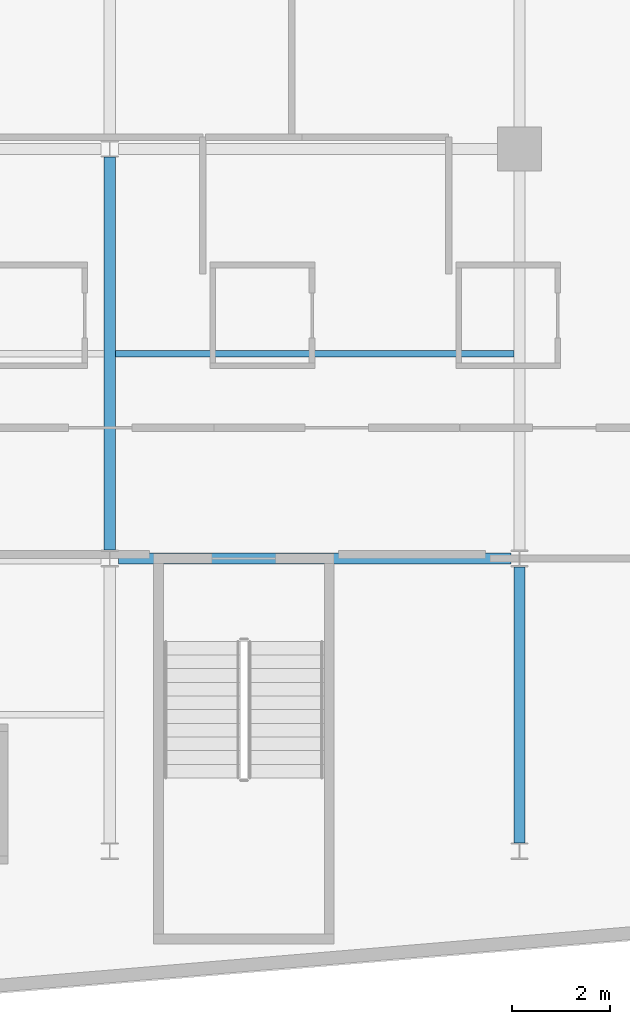
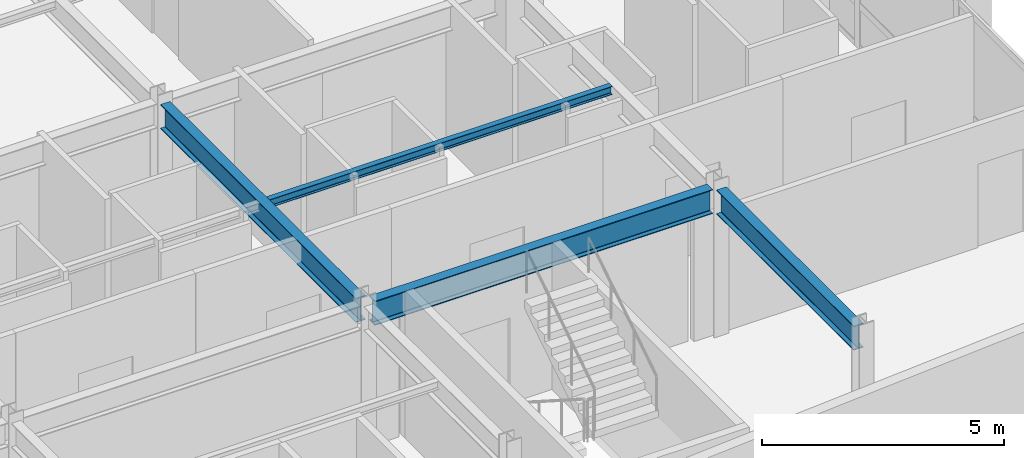
# One storey, part 4 of 21: 4 beams.
"""IFC4 building model written with IfcOpenShell, lengths in metres."""

from ifc_helpers import new_model, si_unit, direction, frame, origin, origin_2d, place, context, subcontext, project, spatial, i_section, extrude, material, material_profile, profile_set, type_object, element, save


model = new_model("IFC4")

# Units and contexts
model_context = context("Model", 3, precision=1e-05, world=origin(), true_north=direction((0.0, 1.0)))
body_context = subcontext(model_context, "Body", "Model", "MODEL_VIEW")
ifc_project = project(units=[si_unit("LENGTHUNIT", "METRE"), si_unit("AREAUNIT", "SQUARE_METRE"), si_unit("VOLUMEUNIT", "CUBIC_METRE"), si_unit("PLANEANGLEUNIT", "RADIAN"), si_unit("MASSUNIT", "GRAM", prefix="KILO")], contexts=[model_context])

# Site, building, storey
site_placement = place(None, origin())
site = spatial("IfcSite", under=ifc_project, at=site_placement, CompositionType="ELEMENT")
building_placement = place(site_placement, origin())
building = spatial("IfcBuilding", under=site, at=building_placement, Name="Varnakote Quay Hospital", CompositionType="ELEMENT")
storey_placement = place(building_placement, frame((0.0, 0.0, 34.35009765625)))
storey = spatial("IfcBuildingStorey", under=building, at=storey_placement, Name="L08", CompositionType="ELEMENT", Elevation=34.35009765625)

# Beams
ifc_material_1 = material(Name="Structural steel AS/NZS 3679.1 Grade 350 L0 (fy 340 MPa)", Category="steel")
ifc_material_profile_1 = material_profile(ifc_material_1, i_section(OverallWidth=0.22900390625, OverallDepth=0.612060546875, WebThickness=0.011962890625, FlangeThickness=0.01953125, FilletRadius=0.013916015625, at=origin_2d()), Name="610UB125")
ifc_profile_set_1 = profile_set([ifc_material_profile_1], Name="Structural steel AS/NZS 3679.1 Grade 350 L0 (fy 340 MPa)")
beam_type_1 = type_object("IfcBeamType", Name="BM-STL-610UB125", PredefinedType="BEAM", material=ifc_profile_set_1)
beam_1_placement = place(storey_placement, frame((42.175048828125, 12.0, 3.40380859375), z_axis=(1.0, 0.0, 0.0), x_axis=(0.0, 1.0, 0.0)))
element("IfcBeam", 1, at=beam_1_placement, inside=storey, type_object=beam_type_1, Name="L08 Primary Floor Beam", PredefinedType="BEAM", context=body_context, shape_type="SweptSolid", body=[
    extrude(i_section(OverallWidth=0.22900390625, OverallDepth=0.612060546875, WebThickness=0.011962890625, FlangeThickness=0.01953125, FilletRadius=0.013916015625, at=origin_2d()), origin(), (0.0, 0.0, 1.0), 8.050048828125),
])
beam_2_placement = place(storey_placement, frame((42.0, 12.169921875, 3.40380859375), z_axis=(0.0, 1.0, 0.0), x_axis=(-1.0, 0.0, 0.0)))
element("IfcBeam", 2, at=beam_2_placement, inside=storey, type_object=beam_type_1, Name="L08 Primary Tie Beam", PredefinedType="BEAM", context=body_context, shape_type="SweptSolid", body=[
    extrude(i_section(OverallWidth=0.22900390625, OverallDepth=0.612060546875, WebThickness=0.011962890625, FlangeThickness=0.01953125, FilletRadius=0.013916015625, at=origin_2d()), origin(), (0.0, 0.0, 1.0), 8.06005859375),
])
beam_3_placement = place(storey_placement, frame((50.39990234375, 6.169921875, 3.40380859375), z_axis=(0.0, 1.0, 0.0), x_axis=(-1.0, 0.0, 0.0)))
element("IfcBeam", 3, at=beam_3_placement, inside=storey, type_object=beam_type_1, Name="L08 Primary Tie Beam", PredefinedType="BEAM", context=body_context, shape_type="SweptSolid", body=[
    extrude(i_section(OverallWidth=0.22900390625, OverallDepth=0.612060546875, WebThickness=0.011962890625, FlangeThickness=0.01953125, FilletRadius=0.013916015625, at=origin_2d()), origin(), (0.0, 0.0, 1.0), 5.66015625),
])
ifc_material_2 = material(Name="Structural steel AS/NZS 3679.1 Grade 350 L0 (fy 340 MPa)", Category="steel")
ifc_material_profile_2 = material_profile(ifc_material_2, i_section(OverallWidth=0.134033203125, OverallDepth=0.20703125, WebThickness=0.00634765625, FlangeThickness=0.009521484375, FilletRadius=0.0087890625, at=origin_2d()), Name="200UB29.8")
ifc_profile_set_2 = profile_set([ifc_material_profile_2], Name="Structural steel AS/NZS 3679.1 Grade 350 L0 (fy 340 MPa)")
beam_type_2 = type_object("IfcBeamType", Name="JST-STL-200UB29-8", PredefinedType="JOIST", material=ifc_profile_set_2)
beam_4_placement = place(storey_placement, frame((42.114501953125, 16.199951171875, 3.6064453125), z_axis=(1.0, 0.0, 0.0), x_axis=(0.0, 1.0, 0.0)))
element("IfcBeam", 4, at=beam_4_placement, inside=storey, type_object=beam_type_2, Name="L08 Composite Floor Joist", PredefinedType="JOIST", context=body_context, shape_type="SweptSolid", body=[
    extrude(i_section(OverallWidth=0.134033203125, OverallDepth=0.20703125, WebThickness=0.00634765625, FlangeThickness=0.009521484375, FilletRadius=0.0087890625, at=origin_2d()), origin(), (0.0, 0.0, 1.0), 8.1708984375),
])

save(model, "model.ifc")
